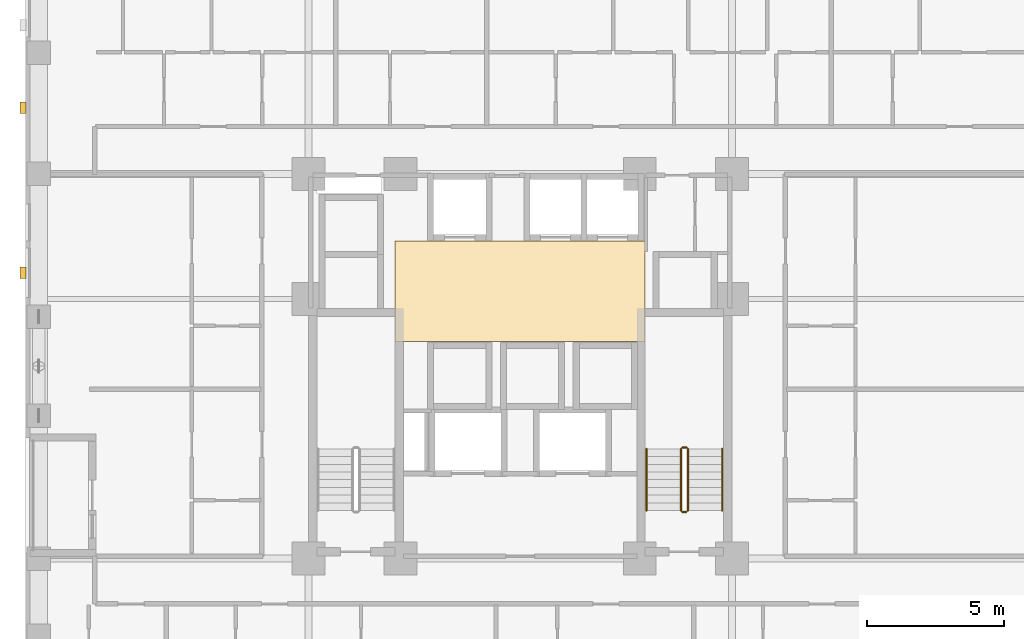
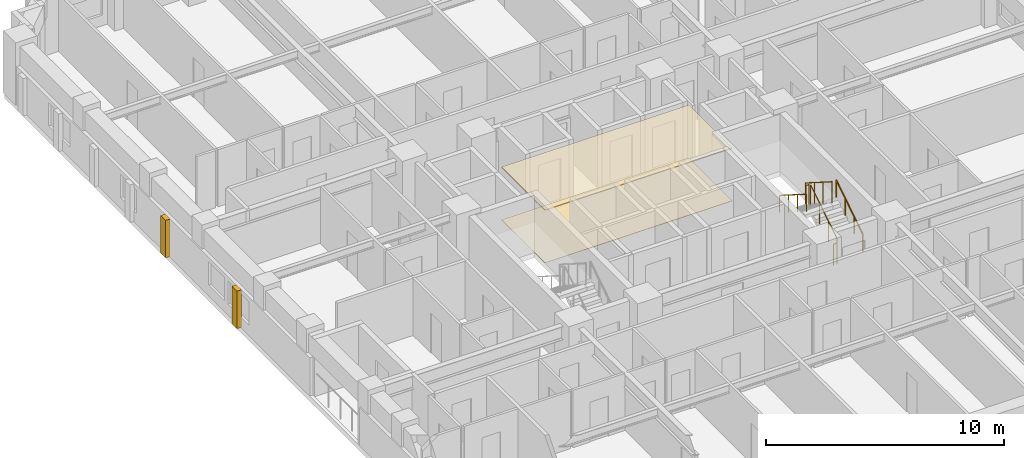
# One storey, part 13 of 14: 6 railings, 4 coverings.
"""IFC4 building model written with IfcOpenShell, lengths in metres."""

from ifc_helpers import new_model, si_unit, derived_unit, direction, frame, origin, origin_2d, place, context, subcontext, project, spatial, polyline, rectangle, circle, outline, extrude, material, layer, layer_set, type_object, element, save


model = new_model("IFC4")

# Units and contexts
model_context = context("Model", 3, precision=1e-05, world=origin(), true_north=direction((0.0, 1.0)))
body_context = subcontext(model_context, "Body", "Model", "MODEL_VIEW")
ifc_project = project(units=[si_unit("LENGTHUNIT", "METRE"), si_unit("AREAUNIT", "SQUARE_METRE"), si_unit("VOLUMEUNIT", "CUBIC_METRE"), si_unit("PLANEANGLEUNIT", "RADIAN"), si_unit("MASSUNIT", "GRAM", prefix="KILO"), derived_unit("THERMALTRANSMITTANCEUNIT", [(si_unit("MASSUNIT", "GRAM", prefix="KILO"), 1), (si_unit("TIMEUNIT", "SECOND"), -3), (si_unit("THERMODYNAMICTEMPERATUREUNIT", "KELVIN"), -1)])], contexts=[model_context])

# Site, building, storey
site_placement = place(None, origin())
site = spatial("IfcSite", under=ifc_project, at=site_placement, CompositionType="ELEMENT")
building_placement = place(site_placement, origin())
building = spatial("IfcBuilding", under=site, at=building_placement, Name="Korrvale Station Residences", CompositionType="ELEMENT")
storey_placement = place(building_placement, frame((0.0, 0.0, 54.60009765625)))
storey = spatial("IfcBuildingStorey", under=building, at=storey_placement, Name="L14", CompositionType="ELEMENT", Elevation=54.60009765625)

# Coverings
ifc_material_1 = material(Name="Perforated acoustic mineral-fibre suspended ceiling", Category="gypsum")
ifc_layer_1 = layer(ifc_material_1, 0.050048828125, Name="Perforated acoustic mineral-fibre suspended ceiling")
ifc_layer_set_1 = layer_set([ifc_layer_1], Name="Perforated acoustic mineral-fibre suspended ceiling")
covering_type_1 = type_object("IfcCoveringType", Name="COV-CLG-AC60", PredefinedType="CEILING", material=ifc_layer_set_1)
covering_1_placement = place(storey_placement, frame((0.0, 0.0, 2.68994140625)))
element("IfcCovering", 1, at=covering_1_placement, inside=storey, type_object=covering_type_1, Name="L14 Elevator Lobby Acoustic Ceiling", PredefinedType="CEILING", context=body_context, shape_type="SweptSolid", body=[
    extrude(outline(polyline([(20.949951171875, 22.89990234375), (30.050048828125, 22.89990234375), (30.050048828125, 26.550048828125), (20.949951171875, 26.550048828125), (20.949951171875, 22.89990234375)])), origin(), (0.0, 0.0, 1.0), 0.050048828125),
])
ifc_material_2 = material(Name="Polished quartz-terrazzo lobby flooring", Category="masonry")
ifc_layer_2 = layer(ifc_material_2, 0.02001953125, Name="Polished quartz-terrazzo lobby flooring")
ifc_layer_set_2 = layer_set([ifc_layer_2], Name="Polished quartz-terrazzo lobby flooring")
covering_type_2 = type_object("IfcCoveringType", Name="COV-FLR-TER20", PredefinedType="FLOORING", material=ifc_layer_set_2)
covering_2_placement = place(storey_placement, origin())
element("IfcCovering", 2, at=covering_2_placement, inside=storey, type_object=covering_type_2, Name="L14 Elevator Lobby Terrazzo Flooring", PredefinedType="FLOORING", context=body_context, shape_type="SweptSolid", body=[
    extrude(outline(polyline([(20.949951171875, 22.89990234375), (30.050048828125, 22.89990234375), (30.050048828125, 26.550048828125), (20.949951171875, 26.550048828125), (20.949951171875, 22.89990234375)])), origin(), (0.0, 0.0, 1.0), 0.02001953125),
])
ifc_material_3 = material(Name="Architectural precast concrete C45/55", Category="concrete")
ifc_layer_3 = layer(ifc_material_3, 0.219970703125, Name="Architectural precast concrete C45/55")
ifc_layer_set_3 = layer_set([ifc_layer_3], Name="Architectural precast concrete C45/55")
covering_type_3 = type_object("IfcCoveringType", Name="COV-PIER-400", PredefinedType="CLADDING", material=ifc_layer_set_3)
for number, where, z_axis, x_axis, name in (
    (3, (7.409912109375, 25.39990234375, 0.02490234375), (0.0, 0.0, 1.0), (0.0, 1.0, 0.0), "L14 Architectural Precast Facade Pier 13"),
    (4, (7.409912109375, 31.39990234375, 0.02490234375), (0.0, 0.0, 1.0), (0.0, 1.0, 0.0), "L14 Architectural Precast Facade Pier 14"),
):
    element("IfcCovering", number, at=place(storey_placement, frame(where, z_axis=z_axis, x_axis=x_axis)), inside=storey, type_object=covering_type_3, Name=name, PredefinedType="CLADDING", context=body_context, shape_type="SweptSolid", body=[
        extrude(rectangle(XDim=0.419921875, YDim=0.219970703125, at=origin_2d()), origin(), (0.0, 0.0, 1.0), 1.925048828125),
    ])

# Railings
ifc_material_4 = material(Name="Brushed stainless-steel continuous stair handrail", Category="steel")
railing_type_1 = type_object("IfcRailingType", Name="RLG-SHND-900", PredefinedType="HANDRAIL", material=ifc_material_4)
railing_1_placement = place(storey_placement, frame((32.85009765625, 16.75, 0.177734375)))
element("IfcRailing", 5, at=railing_1_placement, inside=storey, type_object=railing_type_1, Name="L14 ST-2 stair handrail 1", PredefinedType="HANDRAIL", context=body_context, shape_type="SweptSolid", body=[
    extrude(circle(Radius=0.02392578125, at=origin_2d()), frame((0.0, 0.0, 0.8759765625), z_axis=(0.0, 0.8442293374, 0.53598211339), x_axis=(-1.0, 0.0, 0.0)), (0.0, 0.0, 1.0), 2.6533203125),
    extrude(circle(Radius=0.02099609375, at=origin_2d()), origin(), (0.0, 0.0, 1.0), 0.851806640625),
    extrude(circle(Radius=0.02099609375, at=origin_2d()), frame((0.0, 0.74658203125, 0.47412109375)), (0.0, 0.0, 1.0), 0.851806640625),
    extrude(circle(Radius=0.02099609375, at=origin_2d()), frame((0.0, 1.493408203125, 0.947998046875)), (0.0, 0.0, 1.0), 0.851806640625),
    extrude(circle(Radius=0.02099609375, at=origin_2d()), frame((0.0, 2.239990234375, 1.422119140625)), (0.0, 0.0, 1.0), 0.851806640625),
])
railing_2_placement = place(storey_placement, frame((30.10009765625, 18.989990234375, 1.777587890625)))
element("IfcRailing", 6, at=railing_2_placement, inside=storey, type_object=railing_type_1, Name="L14 ST-2 stair handrail 2", PredefinedType="HANDRAIL", context=body_context, shape_type="SweptSolid", body=[
    extrude(circle(Radius=0.02392578125, at=origin_2d()), frame((0.0, 0.0, 0.8759765625), z_axis=(0.0, -0.84418770128, 0.536047689118), x_axis=(1.0, 0.0, 0.0)), (0.0, 0.0, 1.0), 2.6533203125),
    extrude(circle(Radius=0.02099609375, at=origin_2d()), origin(), (0.0, 0.0, 1.0), 0.851806640625),
    extrude(circle(Radius=0.02099609375, at=origin_2d()), frame((0.0, -0.74658203125, 0.47412109375)), (0.0, 0.0, 1.0), 0.851806640625),
    extrude(circle(Radius=0.02099609375, at=origin_2d()), frame((0.0, -1.493408203125, 0.9482421875)), (0.0, 0.0, 1.0), 0.851806640625),
    extrude(circle(Radius=0.02099609375, at=origin_2d()), frame((0.0, -2.239990234375, 1.42236328125)), (0.0, 0.0, 1.0), 0.851806640625),
])
ifc_material_5 = material(Name="Galvanised painted tubular steel stair guard", Category="steel")
railing_type_2 = type_object("IfcRailingType", Name="RLG-STR-1100", PredefinedType="GUARDRAIL", material=ifc_material_5)
railing_3_placement = place(storey_placement, frame((31.60009765625, 16.75, 0.177734375)))
element("IfcRailing", 7, at=railing_3_placement, inside=storey, type_object=railing_type_2, Name="L14 ST-2 stair guard 1", PredefinedType="GUARDRAIL", context=body_context, shape_type="SweptSolid", body=[
    extrude(circle(Radius=0.02392578125, at=origin_2d()), frame((0.0, 0.0, 1.076171875), z_axis=(0.0, 0.8442293374, 0.53598211339), x_axis=(-1.0, 0.0, 0.0)), (0.0, 0.0, 1.0), 2.6533203125),
    extrude(circle(Radius=0.02099609375, at=origin_2d()), origin(), (0.0, 0.0, 1.0), 1.052001953125),
    extrude(circle(Radius=0.02099609375, at=origin_2d()), frame((0.0, 0.74658203125, 0.47412109375)), (0.0, 0.0, 1.0), 1.052001953125),
    extrude(circle(Radius=0.02099609375, at=origin_2d()), frame((0.0, 1.493408203125, 0.947998046875)), (0.0, 0.0, 1.0), 1.052001953125),
    extrude(circle(Radius=0.02099609375, at=origin_2d()), frame((0.0, 2.239990234375, 1.422119140625)), (0.0, 0.0, 1.0), 1.052001953125),
])
railing_4_placement = place(storey_placement, frame((31.550048828125, 19.0400390625, 1.599853515625)))
element("IfcRailing", 8, at=railing_4_placement, inside=storey, type_object=railing_type_2, Name="L14 ST-2 stair guard 2", PredefinedType="GUARDRAIL", context=body_context, shape_type="SweptSolid", body=[
    extrude(circle(Radius=0.02392578125, at=origin_2d()), frame((0.0, 0.0, 1.076171875), z_axis=(-1.0, 0.0, 0.0), x_axis=(0.0, -1.0, 0.0)), (0.0, 0.0, 1.0), 0.150146484375),
    extrude(circle(Radius=0.02099609375, at=origin_2d()), origin(), (0.0, 0.0, 1.0), 1.052001953125),
    extrude(circle(Radius=0.02099609375, at=origin_2d()), frame((-0.150146484375, 0.0, 0.0)), (0.0, 0.0, 1.0), 1.052001953125),
])
railing_5_placement = place(storey_placement, frame((31.35009765625, 18.989990234375, 1.777587890625)))
element("IfcRailing", 9, at=railing_5_placement, inside=storey, type_object=railing_type_2, Name="L14 ST-2 stair guard 3", PredefinedType="GUARDRAIL", context=body_context, shape_type="SweptSolid", body=[
    extrude(circle(Radius=0.02392578125, at=origin_2d()), frame((0.0, 0.0, 1.076171875), z_axis=(0.0, -0.84418770128, 0.536047689118), x_axis=(1.0, 0.0, 0.0)), (0.0, 0.0, 1.0), 2.6533203125),
    extrude(circle(Radius=0.02099609375, at=origin_2d()), origin(), (0.0, 0.0, 1.0), 1.052001953125),
    extrude(circle(Radius=0.02099609375, at=origin_2d()), frame((0.0, -0.74658203125, 0.47412109375)), (0.0, 0.0, 1.0), 1.052001953125),
    extrude(circle(Radius=0.02099609375, at=origin_2d()), frame((0.0, -1.493408203125, 0.9482421875)), (0.0, 0.0, 1.0), 1.052001953125),
    extrude(circle(Radius=0.02099609375, at=origin_2d()), frame((0.0, -2.239990234375, 1.42236328125)), (0.0, 0.0, 1.0), 1.052001953125),
])
railing_6_placement = place(storey_placement, frame((31.550048828125, 16.699951171875, 0.0)))
element("IfcRailing", 10, at=railing_6_placement, inside=storey, type_object=railing_type_2, Name="L14 ST-2 stair guard 4", PredefinedType="GUARDRAIL", context=body_context, shape_type="SweptSolid", body=[
    extrude(circle(Radius=0.02392578125, at=origin_2d()), frame((0.0, 0.0, 1.076171875), z_axis=(-1.0, 0.0, 0.0), x_axis=(0.0, -1.0, 0.0)), (0.0, 0.0, 1.0), 0.150146484375),
    extrude(circle(Radius=0.02099609375, at=origin_2d()), origin(), (0.0, 0.0, 1.0), 1.052001953125),
    extrude(circle(Radius=0.02099609375, at=origin_2d()), frame((-0.150146484375, 0.0, 0.0)), (0.0, 0.0, 1.0), 1.052001953125),
])

save(model, "model.ifc")
